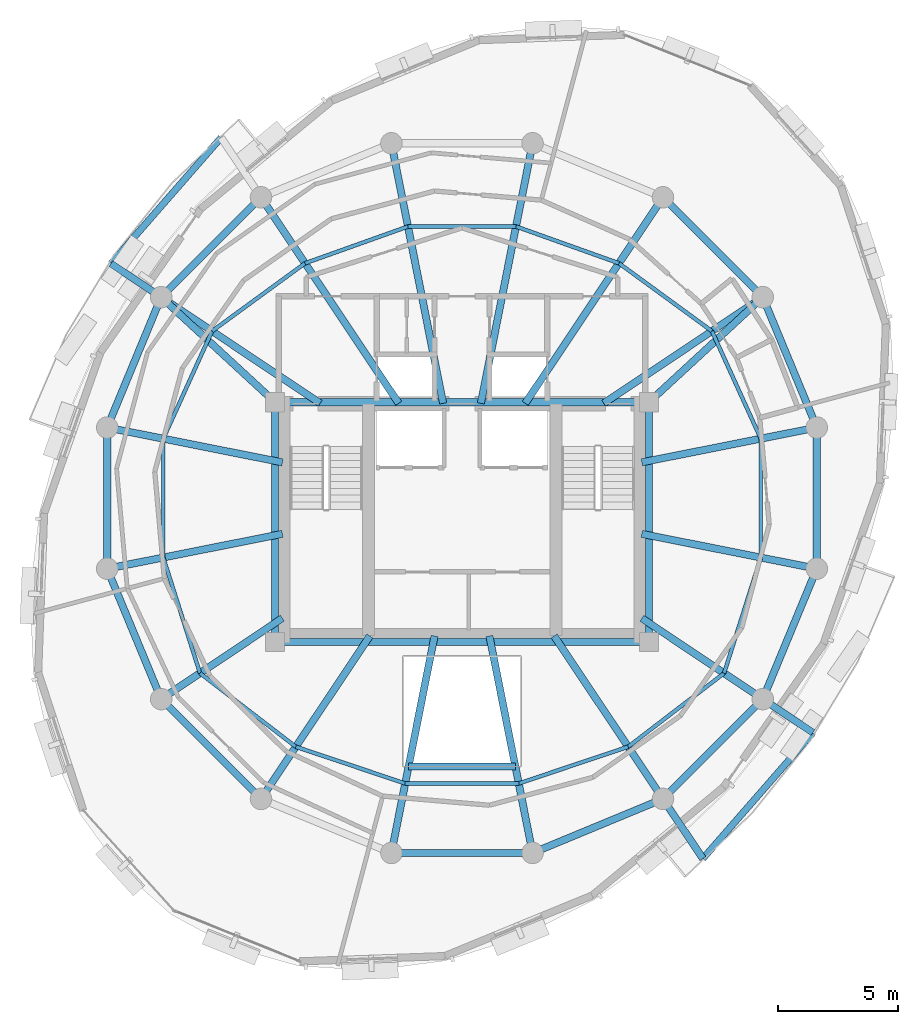
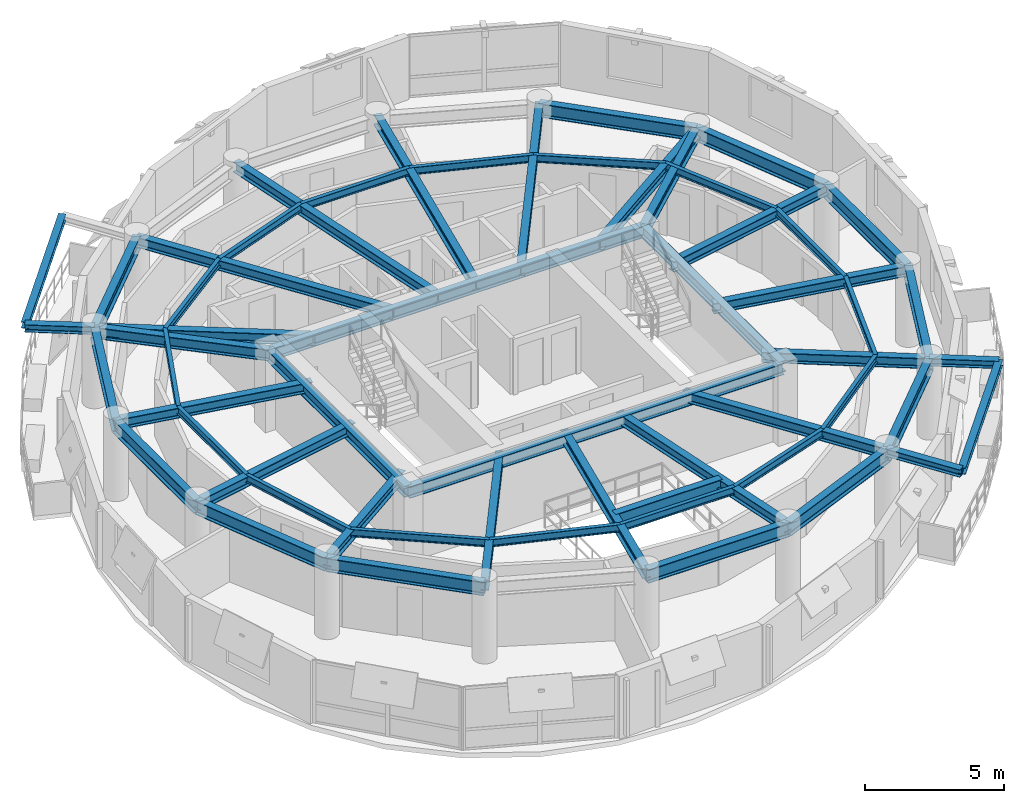
# One storey, part 3 of 11: 56 beams.
"""IFC4 building model written with IfcOpenShell, lengths in metres."""

from ifc_helpers import new_model, si_unit, direction, frame, origin, origin_2d, place, context, subcontext, project, spatial, i_section, extrude, material, material_profile, profile_set, type_object, element, save


model = new_model("IFC4")

# Units and contexts
model_context = context("Model", 3, precision=1e-05, world=origin(), true_north=direction((0.0, 1.0)))
body_context = subcontext(model_context, "Body", "Model", "MODEL_VIEW")
ifc_project = project(units=[si_unit("LENGTHUNIT", "METRE"), si_unit("AREAUNIT", "SQUARE_METRE"), si_unit("VOLUMEUNIT", "CUBIC_METRE"), si_unit("PLANEANGLEUNIT", "RADIAN"), si_unit("MASSUNIT", "GRAM", prefix="KILO"), si_unit("THERMODYNAMICTEMPERATUREUNIT", "KELVIN"), si_unit("POWERUNIT", "WATT")], contexts=[model_context])

# Site, building, storey
site_placement = place(None, origin())
site = spatial("IfcSite", under=ifc_project, at=site_placement, CompositionType="ELEMENT")
building_placement = place(site_placement, origin())
building = spatial("IfcBuilding", under=site, at=building_placement, Name="Ocrelia Relay Tower", CompositionType="ELEMENT")
storey_placement = place(building_placement, frame((0.0, 0.0, 259.199951171875)))
storey = spatial("IfcBuildingStorey", under=building, at=storey_placement, Name="L64", CompositionType="ELEMENT", Elevation=259.199951171875)

# Beams
ifc_material = material(Name="Steel S355", Category="steel")
ifc_material_profile_1 = material_profile(ifc_material, i_section(OverallWidth=0.280029296875, OverallDepth=0.27001953125, WebThickness=0.008056640625, FlangeThickness=0.012939453125, FilletRadius=0.02392578125, at=origin_2d()), Name="HEA 280")
ifc_profile_set_1 = profile_set([ifc_material_profile_1], Name="Steel S355")
beam_type_1 = type_object("IfcBeamType", Name="BM-HEA280", PredefinedType="BEAM", material=ifc_profile_set_1)
for number, where, z_axis, x_axis, name in (
    (1, (23.944580078125, 41.048828125, 3.2451171875), (-0.657853483086, -0.753145931936, 0.0), (0.753145931936, -0.657853483086, 0.0), "L65 Balcony Edge Trimmer Beam B1"),
    (2, (44.055419921875, 10.951171875, 3.2451171875), (0.657853483086, 0.753145931936, 0.0), (-0.753145931936, 0.657853483086, 0.0), "L65 Balcony Edge Trimmer Beam B2"),
):
    element("IfcBeam", number, at=place(storey_placement, frame(where, z_axis=z_axis, x_axis=x_axis)), inside=storey, type_object=beam_type_1, Name=name, PredefinedType="BEAM", context=body_context, shape_type="SweptSolid", body=[
        extrude(i_section(OverallWidth=0.280029296875, OverallDepth=0.27001953125, WebThickness=0.008056640625, FlangeThickness=0.012939453125, FilletRadius=0.02392578125, at=origin_2d()), origin(), (0.0, 0.0, 1.0), 6.984130859375),
    ])
ifc_material_profile_2 = material_profile(ifc_material, i_section(OverallWidth=0.300048828125, OverallDepth=0.330078125, WebThickness=0.009521484375, FlangeThickness=0.0166015625, FilletRadius=0.027099609375, at=origin_2d()), Name="HEA 340")
ifc_profile_set_2 = profile_set([ifc_material_profile_2], Name="Steel S355")
beam_type_2 = type_object("IfcBeamType", Name="BM-HEA340", PredefinedType="BEAM", material=ifc_profile_set_2)
beam_1_placement = place(storey_placement, frame((21.44482421875, 34.38916015625, 3.215087890625), z_axis=(-0.831468390799, 0.555572061125, 0.0), x_axis=(-0.555572061125, -0.831468390799, 0.0)))
element("IfcBeam", 3, at=beam_1_placement, inside=storey, type_object=beam_type_2, Name="L65 Balcony Cantilever Beam B1-2", PredefinedType="BEAM", context=body_context, shape_type="SweptSolid", body=[
    extrude(i_section(OverallWidth=0.300048828125, OverallDepth=0.330078125, WebThickness=0.009521484375, FlangeThickness=0.0166015625, FilletRadius=0.027099609375, at=origin_2d()), origin(), (0.0, 0.0, 1.0), 2.519287109375),
])
beam_2_placement = place(storey_placement, frame((42.38916015625, 13.44482421875, 3.215087890625), z_axis=(0.555582805035, -0.831461211813, 0.0), x_axis=(0.831461211813, 0.555582805035, 0.0)))
element("IfcBeam", 4, at=beam_2_placement, inside=storey, type_object=beam_type_2, Name="L65 Balcony Cantilever Beam B2-1", PredefinedType="BEAM", context=body_context, shape_type="SweptSolid", body=[
    extrude(i_section(OverallWidth=0.300048828125, OverallDepth=0.330078125, WebThickness=0.009521484375, FlangeThickness=0.0166015625, FilletRadius=0.027099609375, at=origin_2d()), origin(), (0.0, 0.0, 1.0), 2.9990234375),
])
beam_3_placement = place(storey_placement, frame((46.55517578125, 17.61083984375, 3.215087890625), z_axis=(0.831468390799, -0.555572061125, 0.0), x_axis=(0.555572061125, 0.831468390799, 0.0)))
element("IfcBeam", 5, at=beam_3_placement, inside=storey, type_object=beam_type_2, Name="L65 Balcony Cantilever Beam B2-2", PredefinedType="BEAM", context=body_context, shape_type="SweptSolid", body=[
    extrude(i_section(OverallWidth=0.300048828125, OverallDepth=0.330078125, WebThickness=0.009521484375, FlangeThickness=0.0166015625, FilletRadius=0.027099609375, at=origin_2d()), origin(), (0.0, 0.0, 1.0), 2.519287109375),
])
ifc_material_profile_3 = material_profile(ifc_material, i_section(OverallWidth=0.300048828125, OverallDepth=0.449951171875, WebThickness=0.013916015625, FlangeThickness=0.02587890625, FilletRadius=0.027099609375, at=origin_2d()), Name="HEB 450")
ifc_profile_set_3 = profile_set([ifc_material_profile_3], Name="Steel S355")
beam_type_3 = type_object("IfcBeamType", Name="BM-HEB450", PredefinedType="BEAM", material=ifc_profile_set_3)
beam_4_placement = place(storey_placement, frame((48.809814453125, 28.94580078125, 3.155029296875), z_axis=(-0.980789400571, -0.195069607393, 0.0), x_axis=(0.195069607393, -0.980789400571, 0.0)))
element("IfcBeam", 6, at=beam_4_placement, inside=storey, type_object=beam_type_3, Name="L64 Radial Floor Girder R01", PredefinedType="BEAM", context=body_context, shape_type="SweptSolid", body=[
    extrude(i_section(OverallWidth=0.300048828125, OverallDepth=0.449951171875, WebThickness=0.013916015625, FlangeThickness=0.02587890625, FilletRadius=0.027099609375, at=origin_2d()), origin(), (0.0, 0.0, 1.0), 7.447998046875),
])
beam_5_placement = place(storey_placement, frame((46.55517578125, 34.38916015625, 3.155029296875), z_axis=(-0.83146627118, -0.555575233331, 0.0), x_axis=(0.555575233331, -0.83146627118, 0.0)))
element("IfcBeam", 7, at=beam_5_placement, inside=storey, type_object=beam_type_3, Name="L64 Radial Floor Girder R02", PredefinedType="BEAM", context=body_context, shape_type="SweptSolid", body=[
    extrude(i_section(OverallWidth=0.300048828125, OverallDepth=0.449951171875, WebThickness=0.013916015625, FlangeThickness=0.02587890625, FilletRadius=0.027099609375, at=origin_2d()), origin(), (0.0, 0.0, 1.0), 7.98095703125),
])
beam_6_placement = place(storey_placement, frame((42.38916015625, 38.55517578125, 3.155029296875), z_axis=(-0.555582296999, -0.831461551283, 0.0), x_axis=(0.831461551283, -0.555582296999, 0.0)))
element("IfcBeam", 8, at=beam_6_placement, inside=storey, type_object=beam_type_3, Name="L64 Radial Floor Girder R03", PredefinedType="BEAM", context=body_context, shape_type="SweptSolid", body=[
    extrude(i_section(OverallWidth=0.300048828125, OverallDepth=0.449951171875, WebThickness=0.013916015625, FlangeThickness=0.02587890625, FilletRadius=0.027099609375, at=origin_2d()), origin(), (0.0, 0.0, 1.0), 10.34326171875),
])
for number, where, z_axis, x_axis, name in (
    (9, (36.94580078125, 40.809814453125, 3.155029296875), (-0.195093658495, -0.98078461673, 0.0), (0.98078461673, -0.195093658495, 0.0), "L64 Radial Floor Girder R04"),
    (10, (31.05419921875, 40.809814453125, 3.155029296875), (0.195093658495, -0.98078461673, 0.0), (0.98078461673, 0.195093658495, 0.0), "L64 Radial Floor Girder R05"),
):
    element("IfcBeam", number, at=place(storey_placement, frame(where, z_axis=z_axis, x_axis=x_axis)), inside=storey, type_object=beam_type_3, Name=name, PredefinedType="BEAM", context=body_context, shape_type="SweptSolid", body=[
        extrude(i_section(OverallWidth=0.300048828125, OverallDepth=0.449951171875, WebThickness=0.013916015625, FlangeThickness=0.02587890625, FilletRadius=0.027099609375, at=origin_2d()), origin(), (0.0, 0.0, 1.0), 11.0673828125),
    ])
beam_7_placement = place(storey_placement, frame((25.61083984375, 38.55517578125, 3.155029296875), z_axis=(0.555582296999, -0.831461551283, 0.0), x_axis=(0.831461551283, 0.555582296999, 0.0)))
element("IfcBeam", 11, at=beam_7_placement, inside=storey, type_object=beam_type_3, Name="L64 Radial Floor Girder R06", PredefinedType="BEAM", context=body_context, shape_type="SweptSolid", body=[
    extrude(i_section(OverallWidth=0.300048828125, OverallDepth=0.449951171875, WebThickness=0.013916015625, FlangeThickness=0.02587890625, FilletRadius=0.027099609375, at=origin_2d()), origin(), (0.0, 0.0, 1.0), 10.34326171875),
])
beam_8_placement = place(storey_placement, frame((21.44482421875, 34.38916015625, 3.155029296875), z_axis=(0.83146627118, -0.555575233331, 0.0), x_axis=(0.555575233331, 0.83146627118, 0.0)))
element("IfcBeam", 12, at=beam_8_placement, inside=storey, type_object=beam_type_3, Name="L64 Radial Floor Girder R07", PredefinedType="BEAM", context=body_context, shape_type="SweptSolid", body=[
    extrude(i_section(OverallWidth=0.300048828125, OverallDepth=0.449951171875, WebThickness=0.013916015625, FlangeThickness=0.02587890625, FilletRadius=0.027099609375, at=origin_2d()), origin(), (0.0, 0.0, 1.0), 7.98095703125),
])
for number, where, z_axis, x_axis, name in (
    (13, (19.190185546875, 28.94580078125, 3.155029296875), (0.980789122594, -0.195071005024, 0.0), (0.195071005024, 0.980789122594, 0.0), "L64 Radial Floor Girder R08"),
    (14, (19.190185546875, 23.05419921875, 3.155029296875), (0.980789122594, 0.195071005024, 0.0), (-0.195071005024, 0.980789122594, 0.0), "L64 Radial Floor Girder R09"),
):
    element("IfcBeam", number, at=place(storey_placement, frame(where, z_axis=z_axis, x_axis=x_axis)), inside=storey, type_object=beam_type_3, Name=name, PredefinedType="BEAM", context=body_context, shape_type="SweptSolid", body=[
        extrude(i_section(OverallWidth=0.300048828125, OverallDepth=0.449951171875, WebThickness=0.013916015625, FlangeThickness=0.02587890625, FilletRadius=0.027099609375, at=origin_2d()), origin(), (0.0, 0.0, 1.0), 7.4580078125),
    ])
beam_9_placement = place(storey_placement, frame((21.44482421875, 17.61083984375, 3.155029296875), z_axis=(0.831463505153, 0.555579372906, 0.0), x_axis=(-0.555579372906, 0.831463505153, 0.0)))
element("IfcBeam", 15, at=beam_9_placement, inside=storey, type_object=beam_type_3, Name="L64 Radial Floor Girder R10", PredefinedType="BEAM", context=body_context, shape_type="SweptSolid", body=[
    extrude(i_section(OverallWidth=0.300048828125, OverallDepth=0.449951171875, WebThickness=0.013916015625, FlangeThickness=0.02587890625, FilletRadius=0.027099609375, at=origin_2d()), origin(), (0.0, 0.0, 1.0), 6.085693359375),
])
beam_10_placement = place(storey_placement, frame((25.61083984375, 13.44482421875, 3.155029296875), z_axis=(0.555560991962, 0.831475786906, 0.0), x_axis=(-0.831475786906, 0.555560991962, 0.0)))
element("IfcBeam", 16, at=beam_10_placement, inside=storey, type_object=beam_type_3, Name="L64 Radial Floor Girder R11", PredefinedType="BEAM", context=body_context, shape_type="SweptSolid", body=[
    extrude(i_section(OverallWidth=0.300048828125, OverallDepth=0.449951171875, WebThickness=0.013916015625, FlangeThickness=0.02587890625, FilletRadius=0.027099609375, at=origin_2d()), origin(), (0.0, 0.0, 1.0), 8.178466796875),
])
for number, where, z_axis, x_axis, name in (
    (17, (31.05419921875, 11.190185546875, 3.155029296875), (0.195078600472, 0.98078761189, 0.0), (-0.98078761189, 0.195078600472, 0.0), "L64 Radial Floor Girder R12"),
    (18, (36.94580078125, 11.190185546875, 3.155029296875), (-0.195078600472, 0.98078761189, 0.0), (-0.98078761189, -0.195078600472, 0.0), "L64 Radial Floor Girder R13"),
):
    element("IfcBeam", number, at=place(storey_placement, frame(where, z_axis=z_axis, x_axis=x_axis)), inside=storey, type_object=beam_type_3, Name=name, PredefinedType="BEAM", context=body_context, shape_type="SweptSolid", body=[
        extrude(i_section(OverallWidth=0.300048828125, OverallDepth=0.449951171875, WebThickness=0.013916015625, FlangeThickness=0.02587890625, FilletRadius=0.027099609375, at=origin_2d()), origin(), (0.0, 0.0, 1.0), 9.232421875),
    ])
beam_11_placement = place(storey_placement, frame((42.38916015625, 13.44482421875, 3.155029296875), z_axis=(-0.555560991962, 0.831475786906, 0.0), x_axis=(-0.831475786906, -0.555560991962, 0.0)))
element("IfcBeam", 19, at=beam_11_placement, inside=storey, type_object=beam_type_3, Name="L64 Radial Floor Girder R14", PredefinedType="BEAM", context=body_context, shape_type="SweptSolid", body=[
    extrude(i_section(OverallWidth=0.300048828125, OverallDepth=0.449951171875, WebThickness=0.013916015625, FlangeThickness=0.02587890625, FilletRadius=0.027099609375, at=origin_2d()), origin(), (0.0, 0.0, 1.0), 8.178466796875),
])
beam_12_placement = place(storey_placement, frame((46.55517578125, 17.61083984375, 3.155029296875), z_axis=(-0.831468559595, 0.555571808504, 0.0), x_axis=(-0.555571808504, -0.831468559595, 0.0)))
element("IfcBeam", 20, at=beam_12_placement, inside=storey, type_object=beam_type_3, Name="L64 Radial Floor Girder R15", PredefinedType="BEAM", context=body_context, shape_type="SweptSolid", body=[
    extrude(i_section(OverallWidth=0.300048828125, OverallDepth=0.449951171875, WebThickness=0.013916015625, FlangeThickness=0.02587890625, FilletRadius=0.027099609375, at=origin_2d()), origin(), (0.0, 0.0, 1.0), 6.073974609375),
])
beam_13_placement = place(storey_placement, frame((48.809814453125, 23.05419921875, 3.155029296875), z_axis=(-0.980789400571, 0.195069607393, 0.0), x_axis=(-0.195069607393, -0.980789400571, 0.0)))
element("IfcBeam", 21, at=beam_13_placement, inside=storey, type_object=beam_type_3, Name="L64 Radial Floor Girder R16", PredefinedType="BEAM", context=body_context, shape_type="SweptSolid", body=[
    extrude(i_section(OverallWidth=0.300048828125, OverallDepth=0.449951171875, WebThickness=0.013916015625, FlangeThickness=0.02587890625, FilletRadius=0.027099609375, at=origin_2d()), origin(), (0.0, 0.0, 1.0), 7.447998046875),
])
ifc_material_profile_4 = material_profile(ifc_material, i_section(OverallWidth=0.300048828125, OverallDepth=0.5, WebThickness=0.014404296875, FlangeThickness=0.028076171875, FilletRadius=0.027099609375, at=origin_2d()), Name="HEB 500")
ifc_profile_set_4 = profile_set([ifc_material_profile_4], Name="Steel S355")
beam_type_4 = type_object("IfcBeamType", Name="BM-HEB500", PredefinedType="BEAM", material=ifc_profile_set_4)
for number, where, z_axis, x_axis, name in (
    (22, (26.199951171875, 20.0, 3.130126953125), (1.0, 0.0, 0.0), (0.0, 1.0, 0.0), "L64 Core Pilaster Tie Beam S"),
    (23, (26.199951171875, 30.0, 3.130126953125), (1.0, 0.0, 0.0), (0.0, 1.0, 0.0), "L64 Core Pilaster Tie Beam N"),
):
    element("IfcBeam", number, at=place(storey_placement, frame(where, z_axis=z_axis, x_axis=x_axis)), inside=storey, type_object=beam_type_4, Name=name, PredefinedType="BEAM", context=body_context, shape_type="SweptSolid", body=[
        extrude(i_section(OverallWidth=0.300048828125, OverallDepth=0.5, WebThickness=0.014404296875, FlangeThickness=0.028076171875, FilletRadius=0.027099609375, at=origin_2d()), origin(), (0.0, 0.0, 1.0), 15.60009765625),
    ])
for number, where, z_axis, x_axis, name in (
    (24, (26.199951171875, 20.0, 3.130126953125), (0.0, 1.0, 0.0), (-1.0, 0.0, 0.0), "L64 Core Pilaster Tie Beam W"),
    (25, (41.800048828125, 20.0, 3.130126953125), (0.0, 1.0, 0.0), (-1.0, 0.0, 0.0), "L64 Core Pilaster Tie Beam E"),
):
    element("IfcBeam", number, at=place(storey_placement, frame(where, z_axis=z_axis, x_axis=x_axis)), inside=storey, type_object=beam_type_4, Name=name, PredefinedType="BEAM", context=body_context, shape_type="SweptSolid", body=[
        extrude(i_section(OverallWidth=0.300048828125, OverallDepth=0.5, WebThickness=0.014404296875, FlangeThickness=0.028076171875, FilletRadius=0.027099609375, at=origin_2d()), origin(), (0.0, 0.0, 1.0), 10.0),
    ])
for number, where, z_axis, x_axis, name in (
    (26, (46.55517578125, 34.38916015625, 3.130126953125), (-0.734817908666, -0.678264433023, 0.0), (0.678264433023, -0.734817908666, 0.0), "L64 Core Pilaster Frame Tie Beam PT02"),
    (27, (21.44482421875, 34.38916015625, 3.130126953125), (0.734817908666, -0.678264433023, 0.0), (0.678264433023, 0.734817908666, 0.0), "L64 Core Pilaster Frame Tie Beam PT07"),
):
    element("IfcBeam", number, at=place(storey_placement, frame(where, z_axis=z_axis, x_axis=x_axis)), inside=storey, type_object=beam_type_4, Name=name, PredefinedType="BEAM", context=body_context, shape_type="SweptSolid", body=[
        extrude(i_section(OverallWidth=0.300048828125, OverallDepth=0.5, WebThickness=0.014404296875, FlangeThickness=0.028076171875, FilletRadius=0.027099609375, at=origin_2d()), origin(), (0.0, 0.0, 1.0), 6.47119140625),
    ])
ifc_material_profile_5 = material_profile(ifc_material, i_section(OverallWidth=0.300048828125, OverallDepth=0.550048828125, WebThickness=0.014892578125, FlangeThickness=0.029052734375, FilletRadius=0.027099609375, at=origin_2d()), Name="HEB 550")
ifc_profile_set_5 = profile_set([ifc_material_profile_5], Name="Steel S355")
beam_type_5 = type_object("IfcBeamType", Name="BM-HEB550", PredefinedType="BEAM", material=ifc_profile_set_5)
beam_14_placement = place(storey_placement, frame((31.772216796875, 14.800048828125, 3.10498046875), z_axis=(1.0, 0.0, 0.0), x_axis=(0.0, 1.0, 0.0)))
element("IfcBeam", 28, at=beam_14_placement, inside=storey, type_object=beam_type_5, Name="L64 Atrium South Trimmer Beam", PredefinedType="BEAM", context=body_context, shape_type="SweptSolid", body=[
    extrude(i_section(OverallWidth=0.300048828125, OverallDepth=0.550048828125, WebThickness=0.014892578125, FlangeThickness=0.029052734375, FilletRadius=0.027099609375, at=origin_2d()), origin(), (0.0, 0.0, 1.0), 4.45556640625),
])
ifc_material_profile_6 = material_profile(ifc_material, i_section(OverallWidth=0.300048828125, OverallDepth=0.60009765625, WebThickness=0.015380859375, FlangeThickness=0.030029296875, FilletRadius=0.027099609375, at=origin_2d()), Name="HEB 600")
ifc_profile_set_6 = profile_set([ifc_material_profile_6], Name="Steel S355")
beam_type_6 = type_object("IfcBeamType", Name="BM-HEB600", PredefinedType="BEAM", material=ifc_profile_set_6)
beam_15_placement = place(storey_placement, frame((48.809814453125, 28.94580078125, 3.080078125), z_axis=(-0.382672624084, 0.923884009374, 0.0), x_axis=(-0.923884009374, -0.382672624084, 0.0)))
element("IfcBeam", 29, at=beam_15_placement, inside=storey, type_object=beam_type_6, Name="L64 Perimeter Spandrel Beam S01", PredefinedType="BEAM", context=body_context, shape_type="SweptSolid", body=[
    extrude(i_section(OverallWidth=0.300048828125, OverallDepth=0.60009765625, WebThickness=0.015380859375, FlangeThickness=0.030029296875, FilletRadius=0.027099609375, at=origin_2d()), origin(), (0.0, 0.0, 1.0), 5.891845703125),
])
for number, where, z_axis, x_axis, name in (
    (30, (46.55517578125, 34.38916015625, 3.080078125), (-0.707106781187, 0.707106781187, 0.0), (-0.707106781187, -0.707106781187, 0.0), "L64 Perimeter Spandrel Beam S02"),
    (31, (25.61083984375, 38.55517578125, 3.080078125), (-0.707106781187, -0.707106781187, 0.0), (0.707106781187, -0.707106781187, 0.0), "L64 Perimeter Spandrel Beam S06"),
):
    element("IfcBeam", number, at=place(storey_placement, frame(where, z_axis=z_axis, x_axis=x_axis)), inside=storey, type_object=beam_type_6, Name=name, PredefinedType="BEAM", context=body_context, shape_type="SweptSolid", body=[
        extrude(i_section(OverallWidth=0.300048828125, OverallDepth=0.60009765625, WebThickness=0.015380859375, FlangeThickness=0.030029296875, FilletRadius=0.027099609375, at=origin_2d()), origin(), (0.0, 0.0, 1.0), 5.8916015625),
    ])
beam_16_placement = place(storey_placement, frame((21.44482421875, 34.38916015625, 3.080078125), z_axis=(-0.382672624084, -0.923884009374, 0.0), x_axis=(0.923884009374, -0.382672624084, 0.0)))
element("IfcBeam", 32, at=beam_16_placement, inside=storey, type_object=beam_type_6, Name="L64 Perimeter Spandrel Beam S07", PredefinedType="BEAM", context=body_context, shape_type="SweptSolid", body=[
    extrude(i_section(OverallWidth=0.300048828125, OverallDepth=0.60009765625, WebThickness=0.015380859375, FlangeThickness=0.030029296875, FilletRadius=0.027099609375, at=origin_2d()), origin(), (0.0, 0.0, 1.0), 5.891845703125),
])
beam_17_placement = place(storey_placement, frame((19.190185546875, 28.94580078125, 3.080078125), z_axis=(0.0, -1.0, 0.0), x_axis=(1.0, 0.0, 0.0)))
element("IfcBeam", 33, at=beam_17_placement, inside=storey, type_object=beam_type_6, Name="L64 Perimeter Spandrel Beam S08", PredefinedType="BEAM", context=body_context, shape_type="SweptSolid", body=[
    extrude(i_section(OverallWidth=0.300048828125, OverallDepth=0.60009765625, WebThickness=0.015380859375, FlangeThickness=0.030029296875, FilletRadius=0.027099609375, at=origin_2d()), origin(), (0.0, 0.0, 1.0), 5.8916015625),
])
beam_18_placement = place(storey_placement, frame((19.190185546875, 23.05419921875, 3.080078125), z_axis=(0.382672624084, -0.923884009374, 0.0), x_axis=(0.923884009374, 0.382672624084, 0.0)))
element("IfcBeam", 34, at=beam_18_placement, inside=storey, type_object=beam_type_6, Name="L64 Perimeter Spandrel Beam S09", PredefinedType="BEAM", context=body_context, shape_type="SweptSolid", body=[
    extrude(i_section(OverallWidth=0.300048828125, OverallDepth=0.60009765625, WebThickness=0.015380859375, FlangeThickness=0.030029296875, FilletRadius=0.027099609375, at=origin_2d()), origin(), (0.0, 0.0, 1.0), 5.891845703125),
])
for number, where, z_axis, x_axis, name in (
    (35, (21.44482421875, 17.61083984375, 3.080078125), (0.707106781187, -0.707106781187, 0.0), (0.707106781187, 0.707106781187, 0.0), "L64 Perimeter Spandrel Beam S10"),
    (36, (31.05419921875, 11.190185546875, 3.080078125), (1.0, 0.0, 0.0), (0.0, 1.0, 0.0), "L64 Perimeter Spandrel Beam S12"),
):
    element("IfcBeam", number, at=place(storey_placement, frame(where, z_axis=z_axis, x_axis=x_axis)), inside=storey, type_object=beam_type_6, Name=name, PredefinedType="BEAM", context=body_context, shape_type="SweptSolid", body=[
        extrude(i_section(OverallWidth=0.300048828125, OverallDepth=0.60009765625, WebThickness=0.015380859375, FlangeThickness=0.030029296875, FilletRadius=0.027099609375, at=origin_2d()), origin(), (0.0, 0.0, 1.0), 5.8916015625),
    ])
beam_19_placement = place(storey_placement, frame((36.94580078125, 11.190185546875, 3.080078125), z_axis=(0.923884009374, 0.382672624084, 0.0), x_axis=(-0.382672624084, 0.923884009374, 0.0)))
element("IfcBeam", 37, at=beam_19_placement, inside=storey, type_object=beam_type_6, Name="L64 Perimeter Spandrel Beam S13", PredefinedType="BEAM", context=body_context, shape_type="SweptSolid", body=[
    extrude(i_section(OverallWidth=0.300048828125, OverallDepth=0.60009765625, WebThickness=0.015380859375, FlangeThickness=0.030029296875, FilletRadius=0.027099609375, at=origin_2d()), origin(), (0.0, 0.0, 1.0), 5.891845703125),
])
beam_20_placement = place(storey_placement, frame((42.38916015625, 13.44482421875, 3.080078125), z_axis=(0.707106781187, 0.707106781187, 0.0), x_axis=(-0.707106781187, 0.707106781187, 0.0)))
element("IfcBeam", 38, at=beam_20_placement, inside=storey, type_object=beam_type_6, Name="L64 Perimeter Spandrel Beam S14", PredefinedType="BEAM", context=body_context, shape_type="SweptSolid", body=[
    extrude(i_section(OverallWidth=0.300048828125, OverallDepth=0.60009765625, WebThickness=0.015380859375, FlangeThickness=0.030029296875, FilletRadius=0.027099609375, at=origin_2d()), origin(), (0.0, 0.0, 1.0), 5.8916015625),
])
beam_21_placement = place(storey_placement, frame((46.55517578125, 17.61083984375, 3.080078125), z_axis=(0.382672624084, 0.923884009374, 0.0), x_axis=(-0.923884009374, 0.382672624084, 0.0)))
element("IfcBeam", 39, at=beam_21_placement, inside=storey, type_object=beam_type_6, Name="L64 Perimeter Spandrel Beam S15", PredefinedType="BEAM", context=body_context, shape_type="SweptSolid", body=[
    extrude(i_section(OverallWidth=0.300048828125, OverallDepth=0.60009765625, WebThickness=0.015380859375, FlangeThickness=0.030029296875, FilletRadius=0.027099609375, at=origin_2d()), origin(), (0.0, 0.0, 1.0), 5.891845703125),
])
beam_22_placement = place(storey_placement, frame((48.809814453125, 23.05419921875, 3.080078125), z_axis=(0.0, 1.0, 0.0), x_axis=(-1.0, 0.0, 0.0)))
element("IfcBeam", 40, at=beam_22_placement, inside=storey, type_object=beam_type_6, Name="L64 Perimeter Spandrel Beam S16", PredefinedType="BEAM", context=body_context, shape_type="SweptSolid", body=[
    extrude(i_section(OverallWidth=0.300048828125, OverallDepth=0.60009765625, WebThickness=0.015380859375, FlangeThickness=0.030029296875, FilletRadius=0.027099609375, at=origin_2d()), origin(), (0.0, 0.0, 1.0), 5.8916015625),
])
ifc_material_profile_7 = material_profile(ifc_material, i_section(OverallWidth=0.159912109375, OverallDepth=0.330078125, WebThickness=0.007568359375, FlangeThickness=0.011474609375, FilletRadius=0.01806640625, at=origin_2d()), Name="IPE 330")
ifc_profile_set_7 = profile_set([ifc_material_profile_7], Name="Steel S355")
beam_type_7 = type_object("IfcBeamType", Name="BM-IPE330", PredefinedType="JOIST", material=ifc_profile_set_7)
beam_23_placement = place(storey_placement, frame((46.472412109375, 28.48095703125, 3.215087890625), z_axis=(-0.413836514443, 0.91035121756, 0.0), x_axis=(-0.91035121756, -0.413836514443, 0.0)))
element("IfcBeam", 41, at=beam_23_placement, inside=storey, type_object=beam_type_7, Name="L64 Secondary Floor Joist J01", PredefinedType="JOIST", context=body_context, shape_type="SweptSolid", body=[
    extrude(i_section(OverallWidth=0.159912109375, OverallDepth=0.330078125, WebThickness=0.007568359375, FlangeThickness=0.011474609375, FilletRadius=0.01806640625, at=origin_2d()), origin(), (0.0, 0.0, 1.0), 4.931396484375),
])
beam_24_placement = place(storey_placement, frame((44.431640625, 32.97021484375, 3.215087890625), z_axis=(-0.80774844416, 0.58952731146, 0.0), x_axis=(-0.58952731146, -0.80774844416, 0.0)))
element("IfcBeam", 42, at=beam_24_placement, inside=storey, type_object=beam_type_7, Name="L64 Secondary Floor Joist J02", PredefinedType="JOIST", context=body_context, shape_type="SweptSolid", body=[
    extrude(i_section(OverallWidth=0.159912109375, OverallDepth=0.330078125, WebThickness=0.007568359375, FlangeThickness=0.011474609375, FilletRadius=0.01806640625, at=origin_2d()), origin(), (0.0, 0.0, 1.0), 4.80517578125),
])
beam_25_placement = place(storey_placement, frame((40.55029296875, 35.802978515625, 3.215087890625), z_axis=(-0.94180245035, 0.336166840298, 0.0), x_axis=(-0.336166840298, -0.94180245035, 0.0)))
element("IfcBeam", 43, at=beam_25_placement, inside=storey, type_object=beam_type_7, Name="L64 Secondary Floor Joist J03", PredefinedType="JOIST", context=body_context, shape_type="SweptSolid", body=[
    extrude(i_section(OverallWidth=0.159912109375, OverallDepth=0.330078125, WebThickness=0.007568359375, FlangeThickness=0.011474609375, FilletRadius=0.01806640625, at=origin_2d()), origin(), (0.0, 0.0, 1.0), 4.560791015625),
])
beam_26_placement = place(storey_placement, frame((36.2548828125, 37.336181640625, 3.215087890625), z_axis=(-1.0, 0.0, 0.0), x_axis=(0.0, -1.0, 0.0)))
element("IfcBeam", 44, at=beam_26_placement, inside=storey, type_object=beam_type_7, Name="L64 Secondary Floor Joist J04", PredefinedType="JOIST", context=body_context, shape_type="SweptSolid", body=[
    extrude(i_section(OverallWidth=0.159912109375, OverallDepth=0.330078125, WebThickness=0.007568359375, FlangeThickness=0.011474609375, FilletRadius=0.01806640625, at=origin_2d()), origin(), (0.0, 0.0, 1.0), 4.509765625),
])
beam_27_placement = place(storey_placement, frame((31.7451171875, 37.336181640625, 3.215087890625), z_axis=(-0.94180245035, -0.336166840298, 0.0), x_axis=(0.336166840298, -0.94180245035, 0.0)))
element("IfcBeam", 45, at=beam_27_placement, inside=storey, type_object=beam_type_7, Name="L64 Secondary Floor Joist J05", PredefinedType="JOIST", context=body_context, shape_type="SweptSolid", body=[
    extrude(i_section(OverallWidth=0.159912109375, OverallDepth=0.330078125, WebThickness=0.007568359375, FlangeThickness=0.011474609375, FilletRadius=0.01806640625, at=origin_2d()), origin(), (0.0, 0.0, 1.0), 4.560791015625),
])
beam_28_placement = place(storey_placement, frame((27.44970703125, 35.802978515625, 3.215087890625), z_axis=(-0.80774844416, -0.58952731146, 0.0), x_axis=(0.58952731146, -0.80774844416, 0.0)))
element("IfcBeam", 46, at=beam_28_placement, inside=storey, type_object=beam_type_7, Name="L64 Secondary Floor Joist J06", PredefinedType="JOIST", context=body_context, shape_type="SweptSolid", body=[
    extrude(i_section(OverallWidth=0.159912109375, OverallDepth=0.330078125, WebThickness=0.007568359375, FlangeThickness=0.011474609375, FilletRadius=0.01806640625, at=origin_2d()), origin(), (0.0, 0.0, 1.0), 4.80517578125),
])
beam_29_placement = place(storey_placement, frame((23.568359375, 32.97021484375, 3.215087890625), z_axis=(-0.413205957462, -0.910637599003, 0.0), x_axis=(0.910637599003, -0.413205957462, 0.0)))
element("IfcBeam", 47, at=beam_29_placement, inside=storey, type_object=beam_type_7, Name="L64 Secondary Floor Joist J07", PredefinedType="JOIST", context=body_context, shape_type="SweptSolid", body=[
    extrude(i_section(OverallWidth=0.159912109375, OverallDepth=0.330078125, WebThickness=0.007568359375, FlangeThickness=0.011474609375, FilletRadius=0.01806640625, at=origin_2d()), origin(), (0.0, 0.0, 1.0), 4.9306640625),
])
beam_30_placement = place(storey_placement, frame((21.531005859375, 28.480224609375, 3.215087890625), z_axis=(0.0, -1.0, 0.0), x_axis=(1.0, 0.0, 0.0)))
element("IfcBeam", 48, at=beam_30_placement, inside=storey, type_object=beam_type_7, Name="L64 Secondary Floor Joist J08", PredefinedType="JOIST", context=body_context, shape_type="SweptSolid", body=[
    extrude(i_section(OverallWidth=0.159912109375, OverallDepth=0.330078125, WebThickness=0.007568359375, FlangeThickness=0.011474609375, FilletRadius=0.01806640625, at=origin_2d()), origin(), (0.0, 0.0, 1.0), 4.96044921875),
])
beam_31_placement = place(storey_placement, frame((21.531005859375, 23.519775390625, 3.215087890625), z_axis=(0.302732054046, -0.953075707094, 0.0), x_axis=(0.953075707094, 0.302732054046, 0.0)))
element("IfcBeam", 49, at=beam_31_placement, inside=storey, type_object=beam_type_7, Name="L64 Secondary Floor Joist J09", PredefinedType="JOIST", context=body_context, shape_type="SweptSolid", body=[
    extrude(i_section(OverallWidth=0.159912109375, OverallDepth=0.330078125, WebThickness=0.007568359375, FlangeThickness=0.011474609375, FilletRadius=0.01806640625, at=origin_2d()), origin(), (0.0, 0.0, 1.0), 5.064453125),
])
beam_32_placement = place(storey_placement, frame((23.064208984375, 18.69287109375, 3.215087890625), z_axis=(0.793147291367, -0.60902986314, 0.0), x_axis=(0.60902986314, 0.793147291367, 0.0)))
element("IfcBeam", 50, at=beam_32_placement, inside=storey, type_object=beam_type_7, Name="L64 Secondary Floor Joist J10", PredefinedType="JOIST", context=body_context, shape_type="SweptSolid", body=[
    extrude(i_section(OverallWidth=0.159912109375, OverallDepth=0.330078125, WebThickness=0.007568359375, FlangeThickness=0.011474609375, FilletRadius=0.01806640625, at=origin_2d()), origin(), (0.0, 0.0, 1.0), 5.044189453125),
])
beam_33_placement = place(storey_placement, frame((27.06494140625, 15.620849609375, 3.215087890625), z_axis=(0.947976335242, -0.318340804519, 0.0), x_axis=(0.318340804519, 0.947976335242, 0.0)))
element("IfcBeam", 51, at=beam_33_placement, inside=storey, type_object=beam_type_7, Name="L64 Secondary Floor Joist J11", PredefinedType="JOIST", context=body_context, shape_type="SweptSolid", body=[
    extrude(i_section(OverallWidth=0.159912109375, OverallDepth=0.330078125, WebThickness=0.007568359375, FlangeThickness=0.011474609375, FilletRadius=0.01806640625, at=origin_2d()), origin(), (0.0, 0.0, 1.0), 4.816162109375),
])
beam_34_placement = place(storey_placement, frame((31.630615234375, 14.087646484375, 3.215087890625), z_axis=(1.0, 0.0, 0.0), x_axis=(0.0, 1.0, 0.0)))
element("IfcBeam", 52, at=beam_34_placement, inside=storey, type_object=beam_type_7, Name="L64 Secondary Floor Joist J12", PredefinedType="JOIST", context=body_context, shape_type="SweptSolid", body=[
    extrude(i_section(OverallWidth=0.159912109375, OverallDepth=0.330078125, WebThickness=0.007568359375, FlangeThickness=0.011474609375, FilletRadius=0.01806640625, at=origin_2d()), origin(), (0.0, 0.0, 1.0), 4.73876953125),
])
beam_35_placement = place(storey_placement, frame((36.369384765625, 14.087646484375, 3.215087890625), z_axis=(0.947976335242, 0.318340804519, 0.0), x_axis=(-0.318340804519, 0.947976335242, 0.0)))
element("IfcBeam", 53, at=beam_35_placement, inside=storey, type_object=beam_type_7, Name="L64 Secondary Floor Joist J13", PredefinedType="JOIST", context=body_context, shape_type="SweptSolid", body=[
    extrude(i_section(OverallWidth=0.159912109375, OverallDepth=0.330078125, WebThickness=0.007568359375, FlangeThickness=0.011474609375, FilletRadius=0.01806640625, at=origin_2d()), origin(), (0.0, 0.0, 1.0), 4.816162109375),
])
beam_36_placement = place(storey_placement, frame((40.93505859375, 15.620849609375, 3.215087890625), z_axis=(0.793608697717, 0.608428496134, 0.0), x_axis=(-0.608428496134, 0.793608697717, 0.0)))
element("IfcBeam", 54, at=beam_36_placement, inside=storey, type_object=beam_type_7, Name="L64 Secondary Floor Joist J14", PredefinedType="JOIST", context=body_context, shape_type="SweptSolid", body=[
    extrude(i_section(OverallWidth=0.159912109375, OverallDepth=0.330078125, WebThickness=0.007568359375, FlangeThickness=0.011474609375, FilletRadius=0.01806640625, at=origin_2d()), origin(), (0.0, 0.0, 1.0), 5.04541015625),
])
beam_37_placement = place(storey_placement, frame((44.939208984375, 18.690673828125, 3.215087890625), z_axis=(0.302648624063, 0.953102203519, 0.0), x_axis=(-0.953102203519, 0.302648624063, 0.0)))
element("IfcBeam", 55, at=beam_37_placement, inside=storey, type_object=beam_type_7, Name="L64 Secondary Floor Joist J15", PredefinedType="JOIST", context=body_context, shape_type="SweptSolid", body=[
    extrude(i_section(OverallWidth=0.159912109375, OverallDepth=0.330078125, WebThickness=0.007568359375, FlangeThickness=0.011474609375, FilletRadius=0.01806640625, at=origin_2d()), origin(), (0.0, 0.0, 1.0), 5.06591796875),
])
beam_38_placement = place(storey_placement, frame((46.472412109375, 23.51904296875, 3.215087890625), z_axis=(0.0, 1.0, 0.0), x_axis=(-1.0, 0.0, 0.0)))
element("IfcBeam", 56, at=beam_38_placement, inside=storey, type_object=beam_type_7, Name="L64 Secondary Floor Joist J16", PredefinedType="JOIST", context=body_context, shape_type="SweptSolid", body=[
    extrude(i_section(OverallWidth=0.159912109375, OverallDepth=0.330078125, WebThickness=0.007568359375, FlangeThickness=0.011474609375, FilletRadius=0.01806640625, at=origin_2d()), origin(), (0.0, 0.0, 1.0), 4.9619140625),
])

save(model, "model.ifc")
